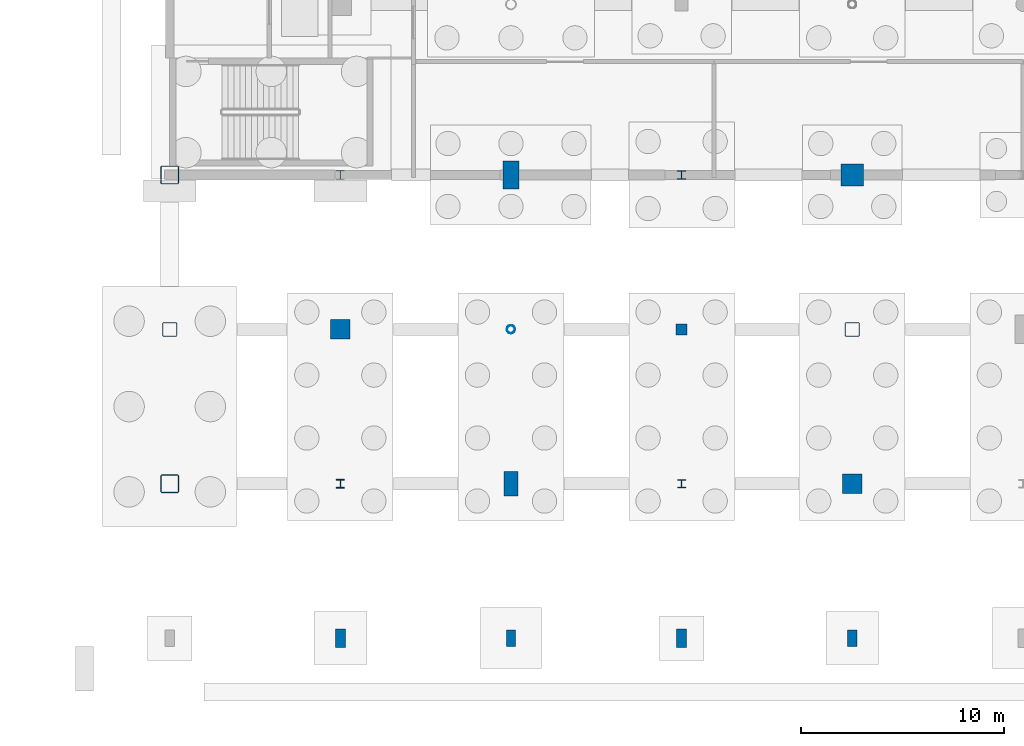
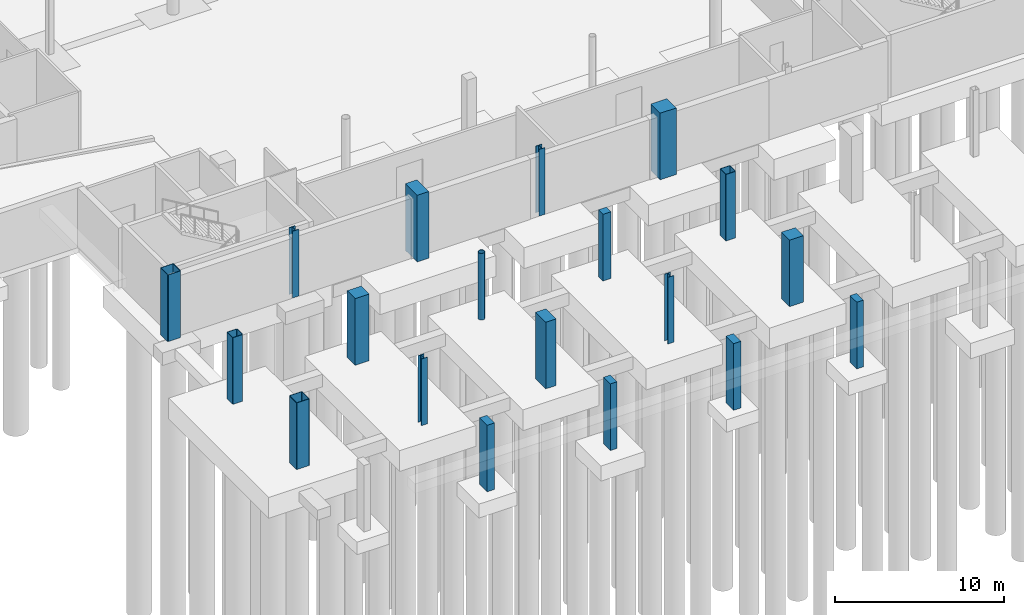
# One storey, part 6 of 34: 19 columns.
"""IFC4 building model written with IfcOpenShell, lengths in metres."""

from ifc_helpers import new_model, si_unit, direction, frame, origin, origin_2d, place, context, subcontext, project, spatial, rectangle, hollow_rectangle, hollow_circle, i_section, extrude, material, material_profile, profile_set, type_object, element, save


model = new_model("IFC4")

# Units and contexts
model_context = context("Model", 3, precision=1e-05, world=origin(), true_north=direction((0.0, 1.0)))
body_context = subcontext(model_context, "Body", "Model", "MODEL_VIEW")
ifc_project = project(units=[si_unit("LENGTHUNIT", "METRE"), si_unit("AREAUNIT", "SQUARE_METRE"), si_unit("VOLUMEUNIT", "CUBIC_METRE"), si_unit("PLANEANGLEUNIT", "RADIAN"), si_unit("MASSUNIT", "GRAM", prefix="KILO")], contexts=[model_context])

# Site, building, storey
site_placement = place(None, origin())
site = spatial("IfcSite", under=ifc_project, at=site_placement, CompositionType="ELEMENT")
building_placement = place(site_placement, origin())
building = spatial("IfcBuilding", under=site, at=building_placement, Name="Larkvane Passage Sports Hall", CompositionType="ELEMENT")
storey_placement = place(building_placement, frame((0.0, 0.0, -4.800048828125)))
storey = spatial("IfcBuildingStorey", under=building, at=storey_placement, Name="B01", CompositionType="ELEMENT", Elevation=-4.800048828125)

# Columns
ifc_material_1 = material(Name="Concrete C50/60", Category="concrete")
ifc_material_profile_1 = material_profile(ifc_material_1, rectangle(XDim=1.10009765625, YDim=1.10009765625, at=origin_2d()), Name="RC-COL-1100x1100")
ifc_profile_set_1 = profile_set([ifc_material_profile_1], Name="Concrete C50/60")
column_type_1 = type_object("IfcColumnType", Name="COL-RC-1100", PredefinedType="COLUMN", material=ifc_profile_set_1)
column_1_placement = place(storey_placement, frame((68.39990234375, 22.800048828125, 0.0), z_axis=(0.0, 0.0, 1.0), x_axis=(1.0, 0.0, 0.0)))
element("IfcColumn", 1, at=column_1_placement, inside=storey, type_object=column_type_1, Name="Column 10/D B01", PredefinedType="COLUMN", context=body_context, shape_type="SweptSolid", body=[
    extrude(rectangle(XDim=1.10009765625, YDim=1.10009765625, at=origin_2d()), origin(), (0.0, 0.0, 1.0), 4.800048828125),
])
ifc_material_2 = material(Name="Concrete C40/50", Category="concrete")
ifc_material_profile_2 = material_profile(ifc_material_2, rectangle(XDim=0.550048828125, YDim=0.550048828125, at=origin_2d()), Name="RC-COL-550x550")
ifc_profile_set_2 = profile_set([ifc_material_profile_2], Name="Concrete C40/50")
column_type_2 = type_object("IfcColumnType", Name="COL-RC-550", PredefinedType="COLUMN", material=ifc_profile_set_2)
column_2_placement = place(storey_placement, frame((60.0, 15.199951171875, 0.0), z_axis=(0.0, 0.0, 1.0), x_axis=(1.0, 0.0, 0.0)))
element("IfcColumn", 2, at=column_2_placement, inside=storey, type_object=column_type_2, Name="Column 9/C B01", PredefinedType="COLUMN", context=body_context, shape_type="SweptSolid", body=[
    extrude(rectangle(XDim=0.550048828125, YDim=0.550048828125, at=origin_2d()), origin(), (0.0, 0.0, 1.0), 4.800048828125),
])
ifc_material_profile_3 = material_profile(ifc_material_1, rectangle(XDim=0.699951171875, YDim=1.199951171875, at=origin_2d()), Name="RC-COL-700x1200")
ifc_profile_set_3 = profile_set([ifc_material_profile_3], Name="Concrete C50/60")
column_type_3 = type_object("IfcColumnType", Name="COL-RC-700x1200", PredefinedType="COLUMN", material=ifc_profile_set_3)
column_3_placement = place(storey_placement, frame((51.60009765625, 7.60009765625, 0.0), z_axis=(0.0, 0.0, 1.0), x_axis=(1.0, 0.0, 0.0)))
element("IfcColumn", 3, at=column_3_placement, inside=storey, type_object=column_type_3, Name="Column 8/B B01", PredefinedType="COLUMN", context=body_context, shape_type="SweptSolid", body=[
    extrude(rectangle(XDim=0.699951171875, YDim=1.199951171875, at=origin_2d()), origin(), (0.0, 0.0, 1.0), 4.800048828125),
])
ifc_material_profile_4 = material_profile(ifc_material_1, rectangle(XDim=0.800048828125, YDim=1.39990234375, at=origin_2d()), Name="RC-COL-800x1400")
ifc_profile_set_4 = profile_set([ifc_material_profile_4], Name="Concrete C50/60")
column_type_4 = type_object("IfcColumnType", Name="COL-RC-800x1400", PredefinedType="COLUMN", material=ifc_profile_set_4)
column_4_placement = place(storey_placement, frame((51.60009765625, 22.800048828125, 0.0), z_axis=(0.0, 0.0, 1.0), x_axis=(1.0, 0.0, 0.0)))
element("IfcColumn", 4, at=column_4_placement, inside=storey, type_object=column_type_4, Name="Column 8/D B01", PredefinedType="COLUMN", context=body_context, shape_type="SweptSolid", body=[
    extrude(rectangle(XDim=0.800048828125, YDim=1.39990234375, at=origin_2d()), origin(), (0.0, 0.0, 1.0), 4.800048828125),
])
ifc_material_profile_5 = material_profile(ifc_material_1, rectangle(XDim=0.949951171875, YDim=0.949951171875, at=origin_2d()), Name="RC-COL-950x950")
ifc_profile_set_5 = profile_set([ifc_material_profile_5], Name="Concrete C50/60")
column_type_5 = type_object("IfcColumnType", Name="COL-RC-950", PredefinedType="COLUMN", material=ifc_profile_set_5)
for number, where, z_axis, x_axis, name in (
    (5, (43.199951171875, 15.199951171875, 0.0), (0.0, 0.0, 1.0), (1.0, 0.0, 0.0), "Column 7/C B01"),
    (6, (68.39990234375, 7.60009765625, 0.0), (0.0, 0.0, 1.0), (1.0, 0.0, 0.0), "Column 10/B B01"),
):
    element("IfcColumn", number, at=place(storey_placement, frame(where, z_axis=z_axis, x_axis=x_axis)), inside=storey, type_object=column_type_5, Name=name, PredefinedType="COLUMN", context=body_context, shape_type="SweptSolid", body=[
        extrude(rectangle(XDim=0.949951171875, YDim=0.949951171875, at=origin_2d()), origin(), (0.0, 0.0, 1.0), 4.800048828125),
    ])
ifc_material_3 = material(Name="Steel S460N", Category="steel")
ifc_material_profile_6 = material_profile(ifc_material_3, hollow_rectangle(XDim=0.699951171875, YDim=0.699951171875, WallThickness=0.028076171875, InnerFilletRadius=0.028076171875, OuterFilletRadius=0.055908203125, at=origin_2d()), Name="BOX-700x700x28")
ifc_profile_set_6 = profile_set([ifc_material_profile_6], Name="Steel S460N")
column_type_6 = type_object("IfcColumnType", Name="COL-STL-BOX700", PredefinedType="COLUMN", material=ifc_profile_set_6)
for number, where, z_axis, x_axis, name in (
    (7, (34.800048828125, 15.199951171875, 0.0), (0.0, 0.0, 1.0), (1.0, 0.0, 0.0), "Column 6/C B01"),
    (8, (68.39990234375, 15.199951171875, 0.0), (0.0, 0.0, 1.0), (1.0, 0.0, 0.0), "Column 10/C B01"),
):
    element("IfcColumn", number, at=place(storey_placement, frame(where, z_axis=z_axis, x_axis=x_axis)), inside=storey, type_object=column_type_6, Name=name, PredefinedType="COLUMN", context=body_context, shape_type="SweptSolid", body=[
        extrude(hollow_rectangle(XDim=0.699951171875, YDim=0.699951171875, WallThickness=0.028076171875, InnerFilletRadius=0.028076171875, OuterFilletRadius=0.055908203125, at=origin_2d()), origin(), (0.0, 0.0, 1.0), 4.800048828125),
    ])
ifc_material_profile_7 = material_profile(ifc_material_3, hollow_rectangle(XDim=0.89990234375, YDim=0.89990234375, WallThickness=0.035888671875, InnerFilletRadius=0.035888671875, OuterFilletRadius=0.072021484375, at=origin_2d()), Name="BOX-900x900x36")
ifc_profile_set_7 = profile_set([ifc_material_profile_7], Name="Steel S460N")
column_type_7 = type_object("IfcColumnType", Name="COL-STL-BOX900", PredefinedType="COLUMN", material=ifc_profile_set_7)
for number, where, z_axis, x_axis, name in (
    (9, (34.800048828125, 7.60009765625, 0.0), (0.0, 0.0, 1.0), (1.0, 0.0, 0.0), "Column 6/B B01"),
    (10, (34.800048828125, 22.800048828125, 0.0), (0.0, 0.0, 1.0), (1.0, 0.0, 0.0), "Column 6/D B01"),
):
    element("IfcColumn", number, at=place(storey_placement, frame(where, z_axis=z_axis, x_axis=x_axis)), inside=storey, type_object=column_type_7, Name=name, PredefinedType="COLUMN", context=body_context, shape_type="SweptSolid", body=[
        extrude(hollow_rectangle(XDim=0.89990234375, YDim=0.89990234375, WallThickness=0.035888671875, InnerFilletRadius=0.035888671875, OuterFilletRadius=0.072021484375, at=origin_2d()), origin(), (0.0, 0.0, 1.0), 4.800048828125),
    ])
ifc_material_4 = material(Name="Steel S355JR", Category="steel")
ifc_material_profile_8 = material_profile(ifc_material_4, hollow_circle(Radius=0.203125, WallThickness=0.01611328125, at=origin_2d()), Name="CHS-406.4x16.0")
ifc_profile_set_8 = profile_set([ifc_material_profile_8], Name="Steel S355JR")
column_type_8 = type_object("IfcColumnType", Name="COL-STL-CHS406", PredefinedType="COLUMN", material=ifc_profile_set_8)
column_5_placement = place(storey_placement, frame((51.60009765625, 15.199951171875, 0.0), z_axis=(0.0, 0.0, 1.0), x_axis=(1.0, 0.0, 0.0)))
element("IfcColumn", 11, at=column_5_placement, inside=storey, type_object=column_type_8, Name="Column 8/C B01", PredefinedType="COLUMN", context=body_context, shape_type="SweptSolid", body=[
    extrude(hollow_circle(Radius=0.203125, WallThickness=0.01611328125, at=origin_2d()), origin(), (0.0, 0.0, 1.0), 4.800048828125),
])
ifc_material_profile_9 = material_profile(ifc_material_3, i_section(OverallWidth=0.405029296875, OverallDepth=0.4140625, WebThickness=0.01806640625, FlangeThickness=0.028076171875, FilletRadius=0.02197265625, at=origin_2d()), Name="H-414x405x18x28")
ifc_profile_set_9 = profile_set([ifc_material_profile_9], Name="Steel S460N")
column_type_9 = type_object("IfcColumnType", Name="COL-STL-H414", PredefinedType="COLUMN", material=ifc_profile_set_9)
column_6_placement = place(storey_placement, frame((60.0, 7.60009765625, 0.0), z_axis=(0.0, 0.0, 1.0), x_axis=(1.0, 0.0, 0.0)))
element("IfcColumn", 12, at=column_6_placement, inside=storey, type_object=column_type_9, Name="Column 9/B B01", PredefinedType="COLUMN", context=body_context, shape_type="SweptSolid", body=[
    extrude(i_section(OverallWidth=0.405029296875, OverallDepth=0.4140625, WebThickness=0.01806640625, FlangeThickness=0.028076171875, FilletRadius=0.02197265625, at=origin_2d()), origin(), (0.0, 0.0, 1.0), 4.800048828125),
])
ifc_material_profile_10 = material_profile(ifc_material_3, i_section(OverallWidth=0.406982421875, OverallDepth=0.427978515625, WebThickness=0.02001953125, FlangeThickness=0.034912109375, FilletRadius=0.02197265625, at=origin_2d()), Name="H-428x407x20x35")
ifc_profile_set_10 = profile_set([ifc_material_profile_10], Name="Steel S460N")
column_type_10 = type_object("IfcColumnType", Name="COL-STL-H428", PredefinedType="COLUMN", material=ifc_profile_set_10)
for number, where, z_axis, x_axis, name in (
    (13, (43.199951171875, 7.60009765625, 0.0), (0.0, 0.0, 1.0), (1.0, 0.0, 0.0), "Column 7/B B01"),
    (14, (60.0, 22.800048828125, 0.0), (0.0, 0.0, 1.0), (1.0, 0.0, 0.0), "Column 9/D B01"),
):
    element("IfcColumn", number, at=place(storey_placement, frame(where, z_axis=z_axis, x_axis=x_axis)), inside=storey, type_object=column_type_10, Name=name, PredefinedType="COLUMN", context=body_context, shape_type="SweptSolid", body=[
        extrude(i_section(OverallWidth=0.406982421875, OverallDepth=0.427978515625, WebThickness=0.02001953125, FlangeThickness=0.034912109375, FilletRadius=0.02197265625, at=origin_2d()), origin(), (0.0, 0.0, 1.0), 4.800048828125),
    ])
ifc_material_profile_11 = material_profile(ifc_material_3, i_section(OverallWidth=0.4169921875, OverallDepth=0.4580078125, WebThickness=0.030029296875, FlangeThickness=0.0400390625, FilletRadius=0.02197265625, at=origin_2d()), Name="H-458x417x30x40")
ifc_profile_set_11 = profile_set([ifc_material_profile_11], Name="Steel S460N")
column_type_11 = type_object("IfcColumnType", Name="COL-STL-H458", PredefinedType="COLUMN", material=ifc_profile_set_11)
column_7_placement = place(storey_placement, frame((43.199951171875, 22.800048828125, 0.0), z_axis=(0.0, 0.0, 1.0), x_axis=(1.0, 0.0, 0.0)))
element("IfcColumn", 15, at=column_7_placement, inside=storey, type_object=column_type_11, Name="Column 7/D B01", PredefinedType="COLUMN", context=body_context, shape_type="SweptSolid", body=[
    extrude(i_section(OverallWidth=0.4169921875, OverallDepth=0.4580078125, WebThickness=0.030029296875, FlangeThickness=0.0400390625, FilletRadius=0.02197265625, at=origin_2d()), origin(), (0.0, 0.0, 1.0), 4.800048828125),
])
ifc_material_profile_12 = material_profile(ifc_material_2, rectangle(XDim=0.449951171875, YDim=0.800048828125, at=origin_2d()), Name="RC-PIL-450x800")
ifc_profile_set_12 = profile_set([ifc_material_profile_12], Name="Concrete C40/50")
column_type_12 = type_object("IfcColumnType", Name="PIL-RC-450x800", PredefinedType="PILASTER", material=ifc_profile_set_12)
for number, where, z_axis, x_axis, name in (
    (16, (51.60009765625, 0.0, 0.0), (0.0, 0.0, 1.0), (1.0, 0.0, 0.0), "Arcade pilaster 8/A B01"),
    (17, (68.39990234375, 0.0, 0.0), (0.0, 0.0, 1.0), (1.0, 0.0, 0.0), "Arcade pilaster 10/A B01"),
):
    element("IfcColumn", number, at=place(storey_placement, frame(where, z_axis=z_axis, x_axis=x_axis)), inside=storey, type_object=column_type_12, Name=name, PredefinedType="PILASTER", context=body_context, shape_type="SweptSolid", body=[
        extrude(rectangle(XDim=0.449951171875, YDim=0.800048828125, at=origin_2d()), origin(), (0.0, 0.0, 1.0), 4.800048828125),
    ])
ifc_material_profile_13 = material_profile(ifc_material_2, rectangle(XDim=0.5, YDim=0.89990234375, at=origin_2d()), Name="RC-PIL-500x900")
ifc_profile_set_13 = profile_set([ifc_material_profile_13], Name="Concrete C40/50")
column_type_13 = type_object("IfcColumnType", Name="PIL-RC-500x900", PredefinedType="PILASTER", material=ifc_profile_set_13)
for number, where, z_axis, x_axis, name in (
    (18, (43.199951171875, 0.0, 0.0), (0.0, 0.0, 1.0), (1.0, 0.0, 0.0), "Arcade pilaster 7/A B01"),
    (19, (60.0, 0.0, 0.0), (0.0, 0.0, 1.0), (1.0, 0.0, 0.0), "Arcade pilaster 9/A B01"),
):
    element("IfcColumn", number, at=place(storey_placement, frame(where, z_axis=z_axis, x_axis=x_axis)), inside=storey, type_object=column_type_13, Name=name, PredefinedType="PILASTER", context=body_context, shape_type="SweptSolid", body=[
        extrude(rectangle(XDim=0.5, YDim=0.89990234375, at=origin_2d()), origin(), (0.0, 0.0, 1.0), 4.800048828125),
    ])

save(model, "model.ifc")
